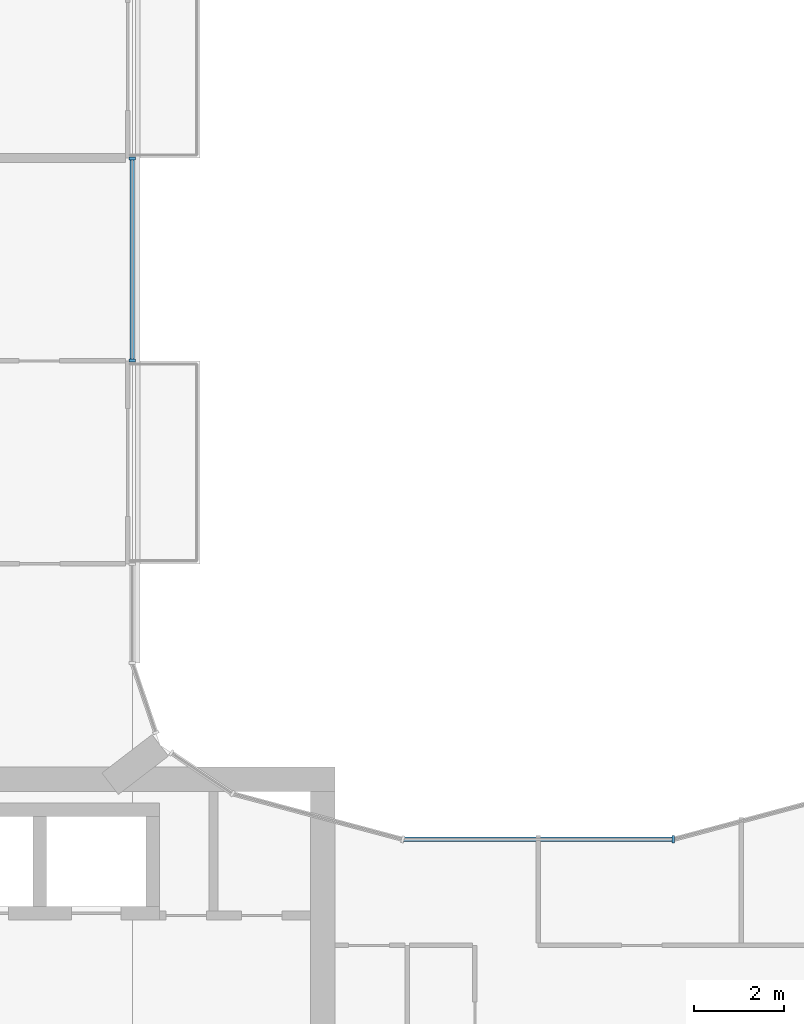
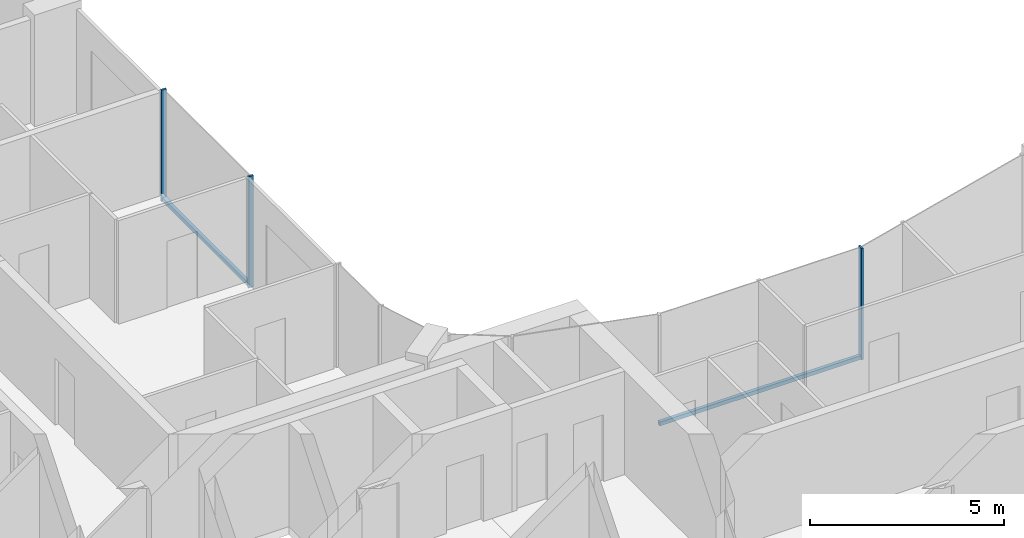
# One storey, part 5 of 15: 5 members, 2 elements without a shape of their own.
"""IFC4 building model written with IfcOpenShell, lengths in metres."""

from ifc_helpers import new_model, si_unit, direction, frame, origin, origin_2d, place, context, subcontext, project, spatial, rectangle, extrude, material, layer, layer_set, material_profile, profile_set, type_object, element, aggregate, save


model = new_model("IFC4")

# Units and contexts
model_context = context("Model", 3, precision=1e-05, world=origin(), true_north=direction((0.0, 1.0)))
body_context = subcontext(model_context, "Body", "Model", "MODEL_VIEW")
ifc_project = project(units=[si_unit("LENGTHUNIT", "METRE"), si_unit("AREAUNIT", "SQUARE_METRE"), si_unit("VOLUMEUNIT", "CUBIC_METRE"), si_unit("PLANEANGLEUNIT", "RADIAN"), si_unit("MASSUNIT", "GRAM", prefix="KILO")], contexts=[model_context])

# Site, building, storey
site_placement = place(None, origin())
site = spatial("IfcSite", under=ifc_project, at=site_placement, CompositionType="ELEMENT")
building_placement = place(site_placement, origin())
building = spatial("IfcBuilding", under=site, at=building_placement, Name="Plateau Cross Towers", CompositionType="ELEMENT")
storey_placement = place(building_placement, frame((0.0, 0.0, 204.89990234375)))
storey = spatial("IfcBuildingStorey", under=building, at=storey_placement, Name="L53", CompositionType="ELEMENT", Elevation=204.89990234375)

# Curtain wall, members
ifc_material_1 = material(Name="Dark low-iron glass", Category="glass")
ifc_layer_1 = layer(ifc_material_1, 0.239990234375)
ifc_layer_set_1 = layer_set([ifc_layer_1], Name="Dark low-iron glass")
curtain_wall_type_1 = type_object("IfcCurtainWallType", Name="Curtain wall flush unitised CW-B", PredefinedType="NOTDEFINED", material=ifc_layer_set_1)
curtain_wall_1_placement = place(storey_placement, origin())
curtain_wall_1 = element("IfcCurtainWall", 1, at=curtain_wall_1_placement, inside=storey, type_object=curtain_wall_type_1, Name="ENV/A/L53/A180_270", PredefinedType="NOTDEFINED")
ifc_material_2 = material(Name="Black anodised aluminium", Category="aluminium")
ifc_material_profile_1 = material_profile(ifc_material_2, rectangle(XDim=0.06005859375, YDim=0.139892578125, at=origin_2d()), Name="MULLION 60x140")
ifc_profile_set_1 = profile_set([ifc_material_profile_1], Name="Black anodised aluminium")
member_type_1 = type_object("IfcMemberType", Name="Mullion 60x140 flush unitised", PredefinedType="MULLION", material=ifc_profile_set_1)
member_1_placement = place(storey_placement, frame((18.0, 27.010009765625, -0.25), z_axis=(0.0, 0.0, 1.0), x_axis=(0.0, 1.0, 0.0)))
member_1 = element("IfcMember", 2, at=member_1_placement, type_object=member_type_1, Name="CW-B mullion 1", PredefinedType="MULLION", context=body_context, shape_type="SweptSolid", body=[
    extrude(rectangle(XDim=0.06005859375, YDim=0.139892578125, at=origin_2d()), origin(), (0.0, 0.0, 1.0), 3.5),
])
member_2_placement = place(storey_placement, frame((18.0, 31.489990234375, -0.25), z_axis=(0.0, 0.0, 1.0), x_axis=(0.0, 1.0, 0.0)))
member_2 = element("IfcMember", 3, at=member_2_placement, type_object=member_type_1, Name="CW-B mullion 2", PredefinedType="MULLION", context=body_context, shape_type="SweptSolid", body=[
    extrude(rectangle(XDim=0.06005859375, YDim=0.139892578125, at=origin_2d()), origin(), (0.0, 0.0, 1.0), 3.5),
])

# Curtain wall, member
ifc_layer_2 = layer(ifc_material_1, 0.260009765625)
ifc_layer_set_2 = layer_set([ifc_layer_2], Name="Dark low-iron glass")
curtain_wall_type_2 = type_object("IfcCurtainWallType", Name="Curtain wall fluted unitised CW-A", PredefinedType="NOTDEFINED", material=ifc_layer_set_2)
curtain_wall_2_placement = place(storey_placement, origin())
curtain_wall_2 = element("IfcCurtainWall", 4, at=curtain_wall_2_placement, inside=storey, type_object=curtain_wall_type_2, Name="ENV/A/L53/A300_164", PredefinedType="NOTDEFINED")
ifc_material_profile_2 = material_profile(ifc_material_2, rectangle(XDim=0.06005859375, YDim=0.159912109375, at=origin_2d()), Name="MULLION 60x160")
ifc_profile_set_2 = profile_set([ifc_material_profile_2], Name="Black anodised aluminium")
member_type_2 = type_object("IfcMemberType", Name="Mullion 60x160 fluted unitised", PredefinedType="MULLION", material=ifc_profile_set_2)
member_3_placement = place(storey_placement, frame((30.0, 16.39306640625, -0.25), z_axis=(0.0, 0.0, 1.0), x_axis=(-1.0, 0.0, 0.0)))
member_3 = element("IfcMember", 5, at=member_3_placement, type_object=member_type_2, Name="CW-A mullion 1", PredefinedType="MULLION", context=body_context, shape_type="SweptSolid", body=[
    extrude(rectangle(XDim=0.06005859375, YDim=0.159912109375, at=origin_2d()), origin(), (0.0, 0.0, 1.0), 3.5),
])

# Member
ifc_material_profile_3 = material_profile(ifc_material_2, rectangle(XDim=0.10009765625, YDim=0.1201171875, at=origin_2d()), Name="TRANSOM 100x120")
ifc_profile_set_3 = profile_set([ifc_material_profile_3], Name="Black anodised aluminium")
member_type_3 = type_object("IfcMemberType", Name="Transom 100x120 flush unitised", PredefinedType="USERDEFINED", material=ifc_profile_set_3)
member_4_placement = place(storey_placement, frame((18.0, 27.010009765625, -0.18994140625), z_axis=(0.0, 1.0, 0.0), x_axis=(-1.0, 0.0, 0.0)))
member_4 = element("IfcMember", 6, at=member_4_placement, type_object=member_type_3, Name="CW-B transom", ObjectType="TRANSOM", PredefinedType="USERDEFINED", context=body_context, shape_type="SweptSolid", body=[
    extrude(rectangle(XDim=0.10009765625, YDim=0.1201171875, at=origin_2d()), origin(), (0.0, 0.0, 1.0), 4.47998046875),
])

aggregate(curtain_wall_1, [member_1, member_2, member_4])

ifc_material_profile_4 = material_profile(ifc_material_2, rectangle(XDim=0.10009765625, YDim=0.1201171875, at=origin_2d()), Name="TRANSOM 100x120")
ifc_profile_set_4 = profile_set([ifc_material_profile_4], Name="Black anodised aluminium")
member_type_4 = type_object("IfcMemberType", Name="Transom 100x120 fluted unitised", PredefinedType="USERDEFINED", material=ifc_profile_set_4)
member_5_placement = place(storey_placement, frame((30.0, 16.39306640625, -0.18994140625), z_axis=(-1.0, 0.0, 0.0), x_axis=(0.0, -1.0, 0.0)))
member_5 = element("IfcMember", 7, at=member_5_placement, type_object=member_type_4, Name="CW-A transom", ObjectType="TRANSOM", PredefinedType="USERDEFINED", context=body_context, shape_type="SweptSolid", body=[
    extrude(rectangle(XDim=0.10009765625, YDim=0.1201171875, at=origin_2d()), origin(), (0.0, 0.0, 1.0), 6.0),
])

aggregate(curtain_wall_2, [member_3, member_5])

save(model, "model.ifc")
